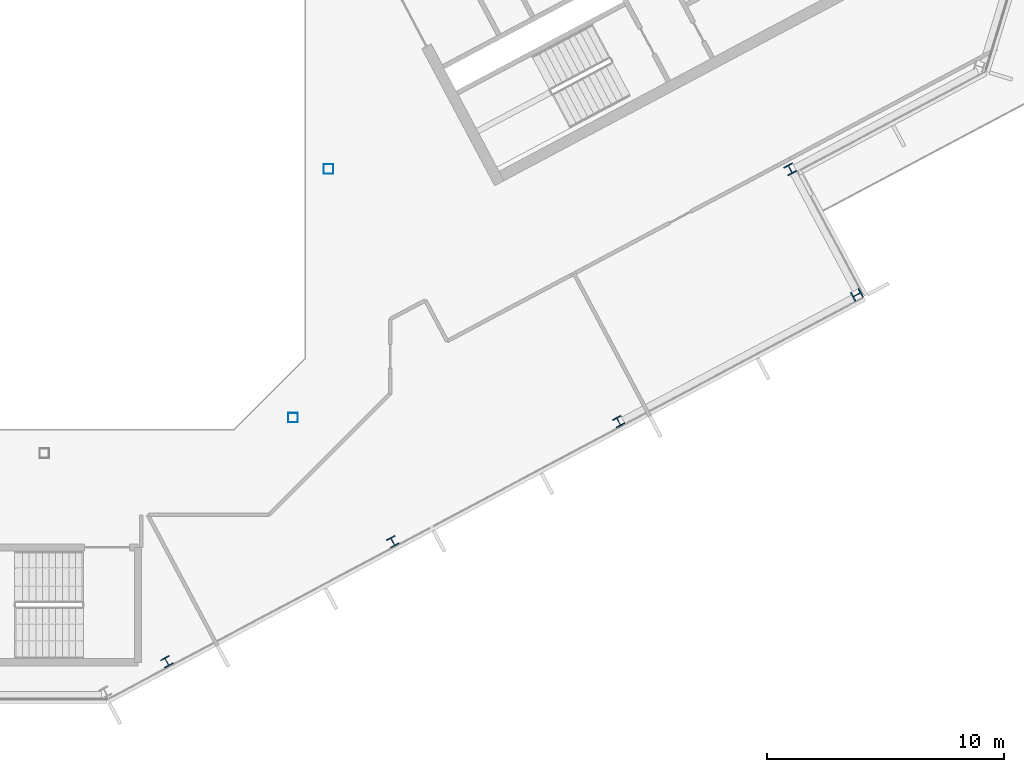
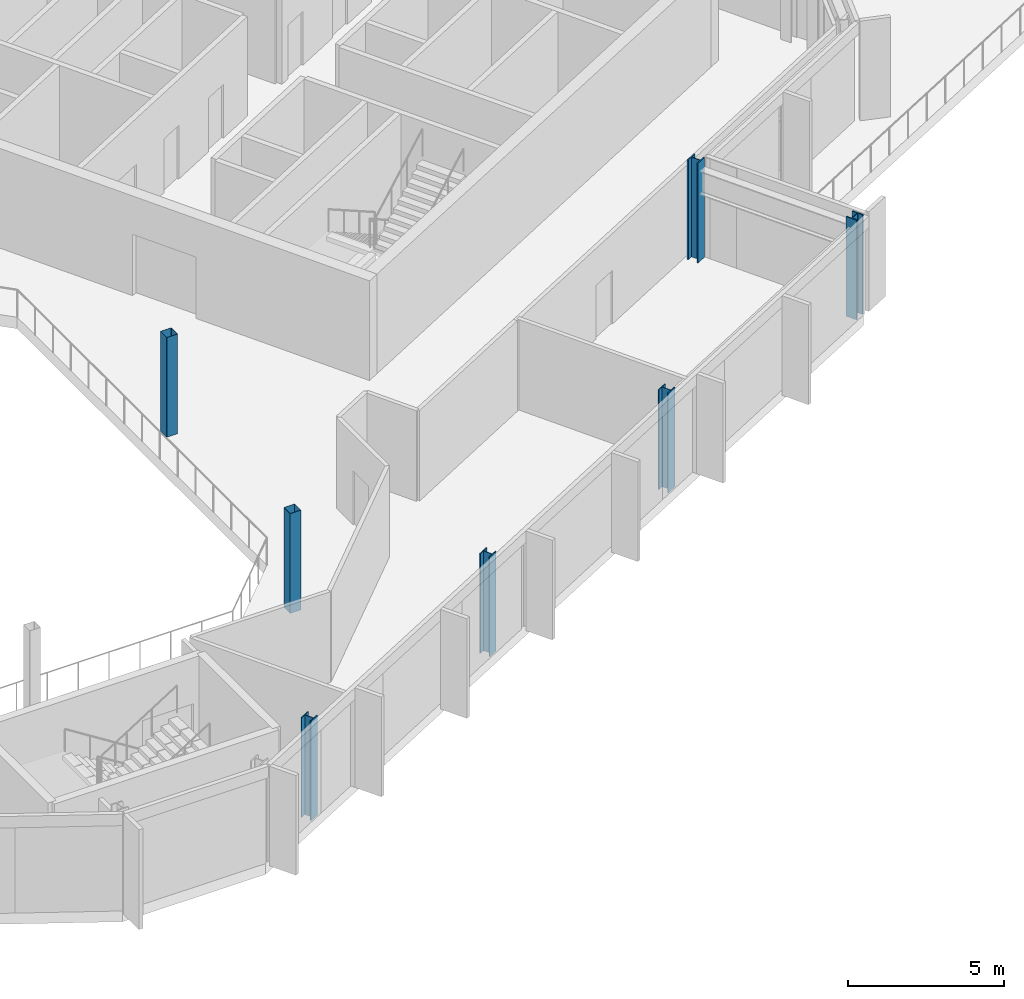
# One storey, part 5 of 30: 7 columns.
"""IFC4 building model written with IfcOpenShell, lengths in metres."""

import ifcopenshell
import ifcopenshell.guid

model = None  # the IFC model being written
_history = None  # IfcOwnerHistory: only IFC2X3 demands one
_inside = {}  # id of a spatial element -> (the spatial element, [elements in it])
_under = {}  # id of a project, library or spatial element -> (it, [spatial elements below it])
_declared = {}  # id of a project -> (the project, [libraries it declares])
_typed = {}  # id of a type object -> (the type object, [elements of that type])
_made_of = {}  # id of a material, layer set ... -> (it, [elements and type objects made of it])


def new_model(schema):
    """Start an empty IFC model of exactly this schema.

    Asked for "IFC4X3", IfcOpenShell would pick the latest addendum, in which some entities
    have other attributes; the version numbers below select the first issue.
    IFC2X3 requires an IfcOwnerHistory on every rooted entity: one is made here for all.
    """
    global model, _history
    if schema == "IFC4X3":
        model = ifcopenshell.file(schema_version=(4, 3, 0, 0))
    else:
        model = ifcopenshell.file(schema=schema)
    _inside.clear()
    _under.clear()
    _declared.clear()
    _typed.clear()
    _made_of.clear()
    _history = None
    if model.schema == "IFC2X3":
        org = make("IfcOrganization", Name="unknown")
        user = make(
            "IfcPersonAndOrganization",
            ThePerson=make("IfcPerson", FamilyName="unknown"),
            TheOrganization=org,
        )
        app = make(
            "IfcApplication",
            ApplicationDeveloper=org,
            Version="unknown",
            ApplicationFullName="unknown",
            ApplicationIdentifier="unknown",
        )
        _history = make(
            "IfcOwnerHistory",
            OwningUser=user,
            OwningApplication=app,
            ChangeAction="ADDED",
            CreationDate=0,
        )
    return model


def make(cls, **values):
    """One entity of the class cls with the attributes given. An attribute that is None is left unset."""
    return model.create_entity(
        cls, **{name: value for name, value in values.items() if value is not None}
    )


def rooted(cls, **values):
    """An entity with a GlobalId (a new one), such as an element, a storey or a relation."""
    return make(cls, GlobalId=ifcopenshell.guid.new(), OwnerHistory=_history, **values)


def si_unit(unit_type, name, prefix=None):
    """IfcSIUnit, for example si_unit("LENGTHUNIT", "METRE", prefix="MILLI")."""
    return make("IfcSIUnit", UnitType=unit_type, Prefix=prefix, Name=name)


def assignment(units):
    """IfcUnitAssignment: the units of a project."""
    return None if units is None else make("IfcUnitAssignment", Units=units)


def point(xyz):
    """IfcCartesianPoint."""
    return None if xyz is None else make("IfcCartesianPoint", Coordinates=xyz)


def direction(xyz):
    """IfcDirection."""
    return None if xyz is None else make("IfcDirection", DirectionRatios=xyz)


def frame(location, z_axis=None, x_axis=None):
    """IfcAxis2Placement3D, a coordinate frame: its origin and axes. An axis left out is left unset."""
    return make(
        "IfcAxis2Placement3D",
        Location=point(location),
        Axis=direction(z_axis),
        RefDirection=direction(x_axis),
    )


def frame_2d(location, x_axis=None):
    """IfcAxis2Placement2D, a coordinate frame in the plane: its origin and x axis."""
    return make(
        "IfcAxis2Placement2D", Location=point(location), RefDirection=direction(x_axis)
    )


def origin():
    """The frame at (0, 0, 0) with its axes left unset."""
    return frame((0.0, 0.0, 0.0))


def origin_2d():
    """The frame at (0, 0) in the plane with its x axis left unset."""
    return frame_2d((0.0, 0.0))


def place(relative_to, where):
    """IfcLocalPlacement: puts the frame where relative to a parent placement (None: the world)."""
    return make(
        "IfcLocalPlacement", PlacementRelTo=relative_to, RelativePlacement=where
    )


def context(
    kind, dimensions, precision=None, world=None, true_north=None, identifier=None
):
    """IfcGeometricRepresentationContext, for example the 3D "Model" context."""
    return make(
        "IfcGeometricRepresentationContext",
        ContextIdentifier=identifier,
        ContextType=kind,
        CoordinateSpaceDimension=dimensions,
        Precision=precision,
        WorldCoordinateSystem=world,
        TrueNorth=true_north,
    )


def subcontext(parent, identifier, kind, view, scale=None):
    """IfcGeometricRepresentationSubContext, for example "Body" below "Model"."""
    return make(
        "IfcGeometricRepresentationSubContext",
        ContextIdentifier=identifier,
        ContextType=kind,
        ParentContext=parent,
        TargetScale=scale,
        TargetView=view,
    )


def project(units=None, contexts=None):
    """IfcProject with its units and contexts."""
    return rooted(
        "IfcProject",
        Name="project",
        RepresentationContexts=contexts,
        UnitsInContext=assignment(units),
    )


def spatial(cls, under=None, at=None, **own):
    """A site, building, storey or space (cls), placed at a placement, below another one or the project."""
    s = rooted(cls, ObjectPlacement=at, **own)
    if under is not None:
        _under.setdefault(under.id(), (under, []))[1].append(s)
    return s


def profile(cls, at=None, kind="AREA", **sizes):
    """A parametric profile (cls). Its sizes go by their IFC names, for example OverallWidth=200.0."""
    return make(cls, ProfileType=kind, Position=at, **sizes)


def hollow_rectangle(**sizes):
    """IfcRectangleHollowProfileDef."""
    return profile("IfcRectangleHollowProfileDef", **sizes)


def i_section(**sizes):
    """IfcIShapeProfileDef."""
    return profile("IfcIShapeProfileDef", **sizes)


def extrude(swept, where, along, depth):
    """IfcExtrudedAreaSolid: the profile swept, set in the frame where, extruded along a direction by depth."""
    return make(
        "IfcExtrudedAreaSolid",
        SweptArea=swept,
        Position=where,
        ExtrudedDirection=direction(along),
        Depth=depth,
    )


def shape(context_of_items, identifier, shape_type, items):
    """IfcShapeRepresentation: the items that make up one representation, for example the "Body"."""
    return make(
        "IfcShapeRepresentation",
        ContextOfItems=context_of_items,
        RepresentationIdentifier=identifier,
        RepresentationType=shape_type,
        Items=items,
    )


def material(Name=None, Category=None):
    """IfcMaterial."""
    return make("IfcMaterial", Name=Name, Category=Category)


def material_profile(
    of_material, cross_section, Name=None, Category=None, Priority=None
):
    """IfcMaterialProfile: a cross section and its material."""
    return make(
        "IfcMaterialProfile",
        Name=Name,
        Material=of_material,
        Profile=cross_section,
        Priority=Priority,
        Category=Category,
    )


def profile_set(profiles, Name=None, composite=None):
    """IfcMaterialProfileSet."""
    return make(
        "IfcMaterialProfileSet",
        Name=Name,
        MaterialProfiles=profiles,
        CompositeProfile=composite,
    )


def made_of(thing, what):
    """Note that an element or type object is made of a material, layer set ...; save() writes the relation."""
    if what is not None:
        _made_of.setdefault(what.id(), (what, []))[1].append(thing)
    return thing


def type_object(cls, material=None, **own):
    """A type object (cls), such as IfcWallType, which elements share."""
    return made_of(rooted(cls, **own), material)


def element(
    cls,
    number,
    at=None,
    inside=None,
    cuts=None,
    type_object=None,
    material=None,
    context=None,
    identifier="Body",
    shape_type=None,
    held_by="IfcProductDefinitionShape",
    body=None,
    shapes=None,
    **own,
):
    """One element of the class cls, such as IfcWall. Its Tag is "e" and its number.

    at: its placement. inside: the storey or other place that contains it. cuts: it is an
    opening in that element (IfcRelVoidsElement). A single representation is given by context,
    identifier, shape_type and body (its items); several are given by shapes. held_by: the class
    of the entity that holds the representations. save() writes the other relations.
    """
    e = rooted(cls, Tag="e%d" % number, ObjectPlacement=at, **own)
    if body is not None:
        shapes = [shape(context, identifier, shape_type, body)]
    if shapes is not None:
        e.Representation = make(held_by, Representations=shapes)
    if inside is not None:
        _inside.setdefault(inside.id(), (inside, []))[1].append(e)
    if cuts is not None:
        rooted(
            "IfcRelVoidsElement", RelatingBuildingElement=cuts, RelatedOpeningElement=e
        )
    if type_object is not None:
        _typed.setdefault(type_object.id(), (type_object, []))[1].append(e)
    return made_of(e, material)


def aggregate(whole, parts):
    """IfcRelAggregates: a whole, such as a stair, and the parts it consists of."""
    return rooted("IfcRelAggregates", RelatingObject=whole, RelatedObjects=parts)


def save(model, path):
    """Write the relations noted so far, then the file.

    IfcRelAggregates (storeys below a building ...), IfcRelContainedInSpatialStructure (elements
    in a storey), IfcRelDefinesByType, IfcRelAssociatesMaterial and IfcRelDeclares: one each for
    every whole, place, type object, material and project.
    """
    for whole, parts in _under.values():
        aggregate(whole, parts)
    for where, things in _inside.values():
        rooted(
            "IfcRelContainedInSpatialStructure",
            RelatedElements=things,
            RelatingStructure=where,
        )
    for kind, things in _typed.values():
        rooted("IfcRelDefinesByType", RelatedObjects=things, RelatingType=kind)
    for what, things in _made_of.values():
        rooted("IfcRelAssociatesMaterial", RelatedObjects=things, RelatingMaterial=what)
    for by, libraries in _declared.values():
        rooted("IfcRelDeclares", RelatingContext=by, RelatedDefinitions=libraries)
    model.write(path)


model = new_model("IFC4")

# Units and contexts
model_context = context("Model", 3, precision=1e-05, world=origin(), true_north=direction((0.0, 1.0)))
body_context = subcontext(model_context, "Body", "Model", "MODEL_VIEW")
ifc_project = project(units=[si_unit("LENGTHUNIT", "METRE"), si_unit("AREAUNIT", "SQUARE_METRE"), si_unit("VOLUMEUNIT", "CUBIC_METRE"), si_unit("PLANEANGLEUNIT", "RADIAN"), si_unit("MASSUNIT", "GRAM", prefix="KILO")], contexts=[model_context])

# Site, building, storey
site_placement = place(None, origin())
site = spatial("IfcSite", under=ifc_project, at=site_placement, CompositionType="ELEMENT")
building_placement = place(site_placement, origin())
building = spatial("IfcBuilding", under=site, at=building_placement, Name="Cormorant Relay Tower", CompositionType="ELEMENT")
storey_placement = place(building_placement, frame((0.0, 0.0, 258.0)))
storey = spatial("IfcBuildingStorey", under=building, at=storey_placement, Name="L57", CompositionType="ELEMENT", Elevation=258.0)

# Columns
ifc_material_1 = material(Name="Steel ASTM A500 Grade C (Fy 345 MPa)", Category="steel")
ifc_material_profile_1 = material_profile(ifc_material_1, hollow_rectangle(XDim=0.406494140625, YDim=0.406494140625, WallThickness=0.0087890625, InnerFilletRadius=0.00439453125, OuterFilletRadius=0.01318359375, at=origin_2d()), Name="HSS406x406x9")
ifc_profile_set_1 = profile_set([ifc_material_profile_1], Name="Steel ASTM A500 Grade C (Fy 345 MPa)")
column_type_1 = type_object("IfcColumnType", Name="Column HSS406x406x9", PredefinedType="COLUMN", material=ifc_profile_set_1)
for number, where, z_axis, x_axis, name in (
    (1, (10.5, -10.5, 0.0), (0.0, 0.0, 1.0), (1.0, 0.0, 0.0), "Column L57-010"),
    (2, (12.0, 0.0, 0.0), (0.0, 0.0, 1.0), (1.0, 0.0, 0.0), "Column L57-016"),
):
    element("IfcColumn", number, at=place(storey_placement, frame(where, z_axis=z_axis, x_axis=x_axis)), inside=storey, type_object=column_type_1, Name=name, PredefinedType="COLUMN", context=body_context, shape_type="SweptSolid", body=[
        extrude(hollow_rectangle(XDim=0.406494140625, YDim=0.406494140625, WallThickness=0.0087890625, InnerFilletRadius=0.00439453125, OuterFilletRadius=0.01318359375, at=origin_2d()), origin(), (0.0, 0.0, 1.0), 3.89990234375),
    ])
ifc_material_2 = material(Name="Steel ASTM A992 (Fy 345 MPa)", Category="steel")
ifc_material_profile_2 = material_profile(ifc_material_2, i_section(OverallWidth=0.398681640625, OverallDepth=0.385986328125, WebThickness=0.02099609375, FlangeThickness=0.033203125, FilletRadius=0.01513671875, at=origin_2d()), Name="W360x262")
ifc_profile_set_2 = profile_set([ifc_material_profile_2], Name="Steel ASTM A992 (Fy 345 MPa)")
column_type_2 = type_object("IfcColumnType", Name="Column W360x262", PredefinedType="COLUMN", material=ifc_profile_set_2)
for number, where, z_axis, x_axis, name in (
    (3, (5.174072265625, -20.806884765625, 0.0), (0.0, 0.0, 1.0), (0.882947592859, 0.469471562786, 0.0), "Column L57-003"),
    (4, (14.7099609375, -15.736083984375, 0.0), (0.0, 0.0, 1.0), (0.882947592859, 0.469471562786, 0.0), "Column L57-005"),
    (5, (24.2451171875, -10.666015625, 0.0), (0.0, 0.0, 1.0), (0.882947592859, 0.469471562786, 0.0), "Column L57-008"),
):
    element("IfcColumn", number, at=place(storey_placement, frame(where, z_axis=z_axis, x_axis=x_axis)), inside=storey, type_object=column_type_2, Name=name, PredefinedType="COLUMN", context=body_context, shape_type="SweptSolid", body=[
        extrude(i_section(OverallWidth=0.398681640625, OverallDepth=0.385986328125, WebThickness=0.02099609375, FlangeThickness=0.033203125, FilletRadius=0.01513671875, at=origin_2d()), origin(), (0.0, 0.0, 1.0), 3.89990234375),
    ])
ifc_material_3 = material(Name="Steel ASTM A992 (Fy 345 MPa)", Category="steel")
ifc_material_profile_3 = material_profile(ifc_material_3, i_section(OverallWidth=0.40380859375, OverallDepth=0.406494140625, WebThickness=0.027099609375, FlangeThickness=0.043701171875, FilletRadius=0.01513671875, at=origin_2d()), Name="W360x347")
ifc_profile_set_3 = profile_set([ifc_material_profile_3], Name="Steel ASTM A992 (Fy 345 MPa)")
column_type_3 = type_object("IfcColumnType", Name="Column W360x347", PredefinedType="COLUMN", material=ifc_profile_set_3)
for number, where, z_axis, x_axis, name in (
    (6, (34.303955078125, -5.31201171875, 0.0), (0.0, 0.0, 1.0), (-0.469471562786, 0.882947592859, 0.0), "Column L57-012"),
    (7, (31.487060546875, -0.013916015625, 0.0), (0.0, 0.0, 1.0), (0.882947592859, 0.469471562786, 0.0), "Column L57-014"),
):
    element("IfcColumn", number, at=place(storey_placement, frame(where, z_axis=z_axis, x_axis=x_axis)), inside=storey, type_object=column_type_3, Name=name, PredefinedType="COLUMN", context=body_context, shape_type="SweptSolid", body=[
        extrude(i_section(OverallWidth=0.40380859375, OverallDepth=0.406494140625, WebThickness=0.027099609375, FlangeThickness=0.043701171875, FilletRadius=0.01513671875, at=origin_2d()), origin(), (0.0, 0.0, 1.0), 3.89990234375),
    ])

save(model, "model.ifc")
